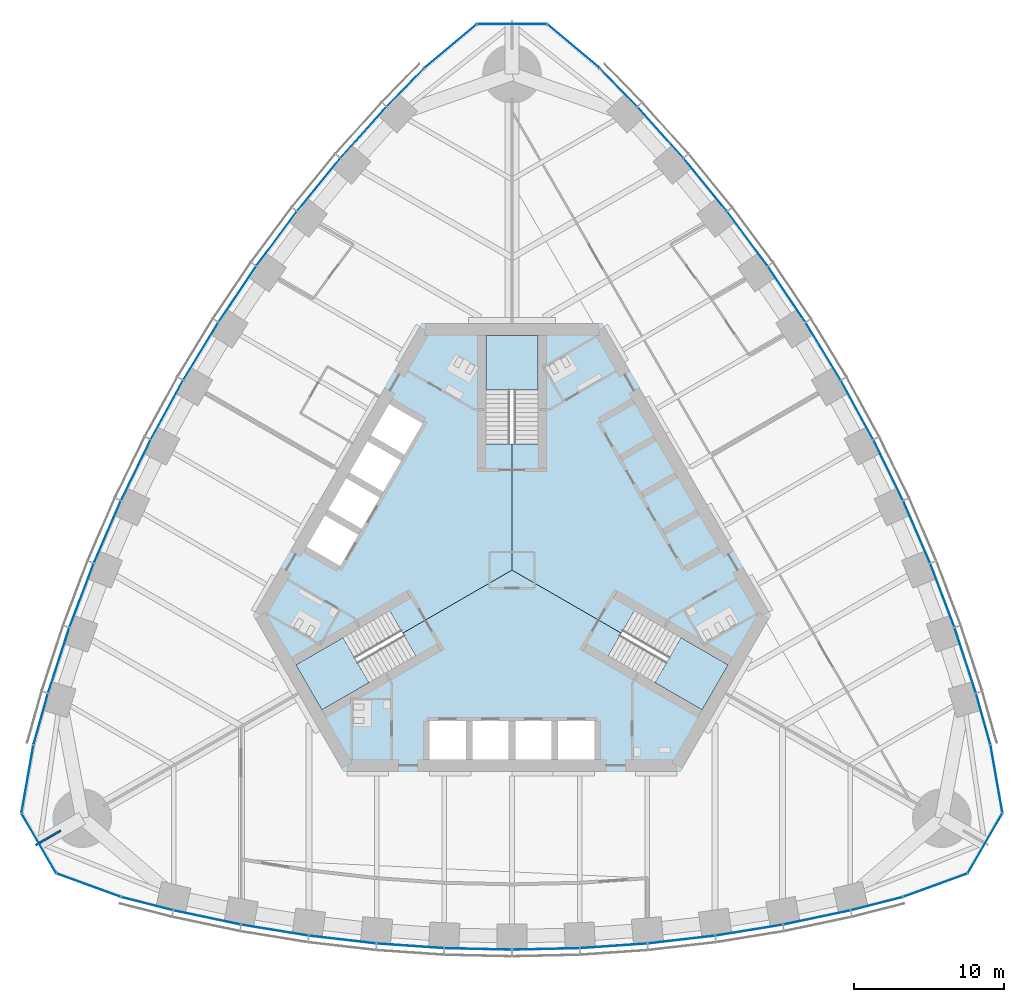
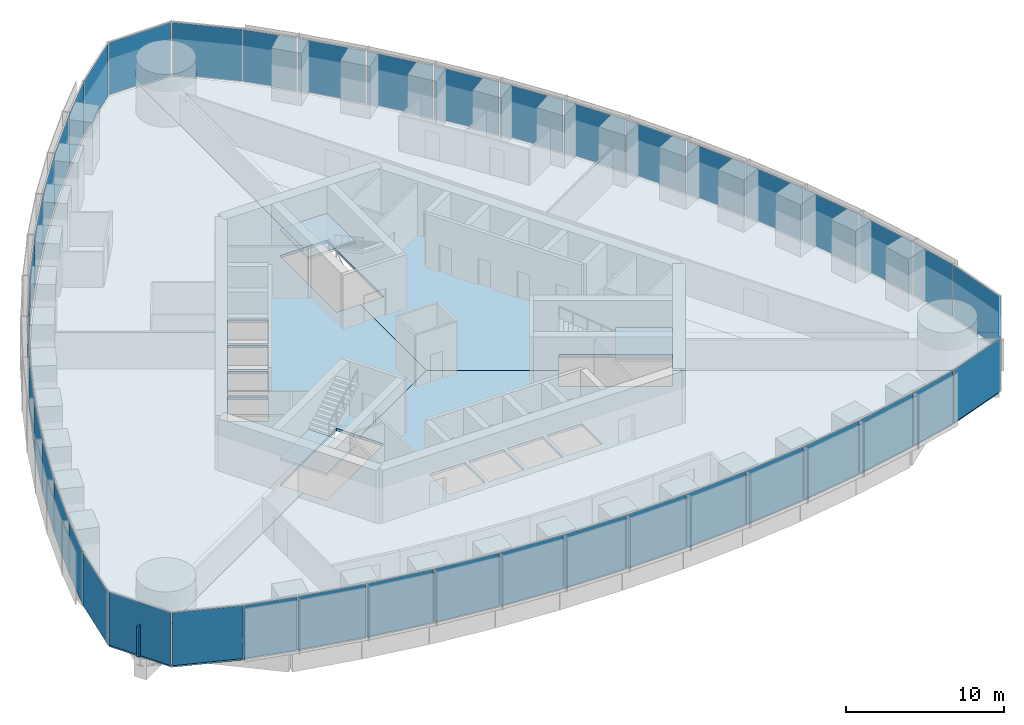
# One storey, part 10 of 18: 45 plates, 6 slabs, 1 wall, 9 elements without a shape of their own.
"""IFC4 building model written with IfcOpenShell, lengths in metres."""

from ifc_helpers import new_model, si_unit, direction, frame, frame_2d, origin, origin_2d, place, context, subcontext, project, spatial, polyline, rectangle, outline, extrude, material, layer, layer_set, type_object, element, aggregate, save


model = new_model("IFC4")

# Units and contexts
model_context = context("Model", 3, precision=1e-05, world=origin(), true_north=direction((0.0, 1.0)))
body_context = subcontext(model_context, "Body", "Model", "MODEL_VIEW")
ifc_project = project(units=[si_unit("LENGTHUNIT", "METRE"), si_unit("AREAUNIT", "SQUARE_METRE"), si_unit("VOLUMEUNIT", "CUBIC_METRE"), si_unit("PLANEANGLEUNIT", "RADIAN"), si_unit("MASSUNIT", "GRAM", prefix="KILO")], contexts=[model_context])

# Site, building, storey
site_placement = place(None, origin())
site = spatial("IfcSite", under=ifc_project, at=site_placement, CompositionType="ELEMENT")
building_placement = place(site_placement, origin())
building = spatial("IfcBuilding", under=site, at=building_placement, Name="Trefoil Bronze Tower", CompositionType="ELEMENT")
storey_placement = place(building_placement, frame((0.0, 0.0, 198.10009765625)))
storey = spatial("IfcBuildingStorey", under=building, at=storey_placement, Name="L45", CompositionType="ELEMENT", Elevation=198.10009765625)

# Curtain wall, plates
ifc_material_1 = material(Name="Tinted solar-control glass", Category="glass")
curtain_wall_type_1 = type_object("IfcCurtainWallType", Name="Bronze office curtain wall", PredefinedType="USERDEFINED", material=ifc_material_1)
curtain_wall_1_placement = place(storey_placement, origin())
curtain_wall_1 = element("IfcCurtainWall", 1, at=curtain_wall_1_placement, inside=storey, type_object=curtain_wall_type_1, Name="CW-A L45 F1", ObjectType="CURTAIN WALL", PredefinedType="USERDEFINED")
ifc_material_2 = material(Name="Tinted solar-control glass", Category="glass")
ifc_layer_1 = layer(ifc_material_2, 0.030029296875)
ifc_layer_set_1 = layer_set([ifc_layer_1], Name="Bronze office curtain wall glass panel")
plate_type_1 = type_object("IfcPlateType", Name="Bronze office curtain wall glass panel", PredefinedType="CURTAIN_PANEL", material=ifc_layer_set_1)
plate_1_placement = place(storey_placement, frame((-24.251220703125, -22.188232421875, -0.000244140625), z_axis=(0.0, 0.0, 1.0), x_axis=(0.968934035393, -0.247319297786, 0.0)))
plate_1 = element("IfcPlate", 2, at=plate_1_placement, type_object=plate_type_1, Name="CW-A L45 F1 panel 1", PredefinedType="CURTAIN_PANEL", context=body_context, shape_type="SweptSolid", body=[
    extrude(rectangle(XDim=3.483642578125, YDim=0.030029296875, at=origin_2d()), origin(), (0.0, 0.0, 1.0), 4.080078125),
])
plate_2_placement = place(storey_placement, frame((-20.270751953125, -23.105224609375, -0.000244140625), z_axis=(0.0, 0.0, 1.0), x_axis=(0.978394335897, -0.20674748725, 0.0)))
plate_2 = element("IfcPlate", 3, at=plate_2_placement, type_object=plate_type_1, Name="CW-A L45 F1 panel 2", PredefinedType="CURTAIN_PANEL", context=body_context, shape_type="SweptSolid", body=[
    extrude(rectangle(XDim=4.519287109375, YDim=0.030029296875, at=origin_2d()), origin(), (0.0, 0.0, 1.0), 4.080078125),
])
plate_3_placement = place(storey_placement, frame((-15.76611328125, -23.9482421875, -0.000244140625), z_axis=(0.0, 0.0, 1.0), x_axis=(0.986986549528, -0.160802832848, 0.0)))
plate_3 = element("IfcPlate", 4, at=plate_3_placement, type_object=plate_type_1, Name="CW-A L45 F1 panel 3", PredefinedType="CURTAIN_PANEL", context=body_context, shape_type="SweptSolid", body=[
    extrude(rectangle(XDim=4.479248046875, YDim=0.030029296875, at=origin_2d()), origin(), (0.0, 0.0, 1.0), 4.080078125),
])
plate_4_placement = place(storey_placement, frame((-11.261474609375, -24.57568359375, -0.000244140625), z_axis=(0.0, 0.0, 1.0), x_axis=(0.993381831741, -0.114858767043, 0.0)))
plate_4 = element("IfcPlate", 5, at=plate_4_placement, type_object=plate_type_1, Name="CW-A L45 F1 panel 4", PredefinedType="CURTAIN_PANEL", context=body_context, shape_type="SweptSolid", body=[
    extrude(rectangle(XDim=4.449951171875, YDim=0.030029296875, at=origin_2d()), origin(), (0.0, 0.0, 1.0), 4.080078125),
])
plate_5_placement = place(storey_placement, frame((-6.7568359375, -24.991455078125, -0.000244140625), z_axis=(0.0, 0.0, 1.0), x_axis=(0.99762252804, -0.068915103905, 0.0)))
plate_5 = element("IfcPlate", 6, at=plate_5_placement, type_object=plate_type_1, Name="CW-A L45 F1 panel 5", PredefinedType="CURTAIN_PANEL", context=body_context, shape_type="SweptSolid", body=[
    extrude(rectangle(XDim=4.4306640625, YDim=0.030029296875, at=origin_2d()), origin(), (0.0, 0.0, 1.0), 4.080078125),
])
plate_6_placement = place(storey_placement, frame((-2.252197265625, -25.198974609375, -0.000244140625), z_axis=(0.0, 0.0, 1.0), x_axis=(0.999736116243, -0.022971675577, 0.0)))
plate_6 = element("IfcPlate", 7, at=plate_6_placement, type_object=plate_type_1, Name="CW-A L45 F1 panel 6", PredefinedType="CURTAIN_PANEL", context=body_context, shape_type="SweptSolid", body=[
    extrude(rectangle(XDim=4.421142578125, YDim=0.030029296875, at=origin_2d()), origin(), (0.0, 0.0, 1.0), 4.080078125),
])
plate_7_placement = place(storey_placement, frame((2.252197265625, -25.198974609375, -0.000244140625), z_axis=(0.0, 0.0, 1.0), x_axis=(0.999736116243, 0.022971675577, 0.0)))
plate_7 = element("IfcPlate", 8, at=plate_7_placement, type_object=plate_type_1, Name="CW-A L45 F1 panel 7", PredefinedType="CURTAIN_PANEL", context=body_context, shape_type="SweptSolid", body=[
    extrude(rectangle(XDim=4.421142578125, YDim=0.030029296875, at=origin_2d()), origin(), (0.0, 0.0, 1.0), 4.080078125),
])
plate_8_placement = place(storey_placement, frame((6.7568359375, -24.991455078125, -0.000244140625), z_axis=(0.0, 0.0, 1.0), x_axis=(0.99762252804, 0.068915103905, 0.0)))
plate_8 = element("IfcPlate", 9, at=plate_8_placement, type_object=plate_type_1, Name="CW-A L45 F1 panel 8", PredefinedType="CURTAIN_PANEL", context=body_context, shape_type="SweptSolid", body=[
    extrude(rectangle(XDim=4.4306640625, YDim=0.030029296875, at=origin_2d()), origin(), (0.0, 0.0, 1.0), 4.080078125),
])
plate_9_placement = place(storey_placement, frame((11.261474609375, -24.57568359375, -0.000244140625), z_axis=(0.0, 0.0, 1.0), x_axis=(0.993381831741, 0.114858767043, 0.0)))
plate_9 = element("IfcPlate", 10, at=plate_9_placement, type_object=plate_type_1, Name="CW-A L45 F1 panel 9", PredefinedType="CURTAIN_PANEL", context=body_context, shape_type="SweptSolid", body=[
    extrude(rectangle(XDim=4.449951171875, YDim=0.030029296875, at=origin_2d()), origin(), (0.0, 0.0, 1.0), 4.080078125),
])
plate_10_placement = place(storey_placement, frame((15.76611328125, -23.9482421875, -0.000244140625), z_axis=(0.0, 0.0, 1.0), x_axis=(0.986986549528, 0.160802832848, 0.0)))
plate_10 = element("IfcPlate", 11, at=plate_10_placement, type_object=plate_type_1, Name="CW-A L45 F1 panel 10", PredefinedType="CURTAIN_PANEL", context=body_context, shape_type="SweptSolid", body=[
    extrude(rectangle(XDim=4.479248046875, YDim=0.030029296875, at=origin_2d()), origin(), (0.0, 0.0, 1.0), 4.080078125),
])
plate_11_placement = place(storey_placement, frame((20.270751953125, -23.105224609375, -0.000244140625), z_axis=(0.0, 0.0, 1.0), x_axis=(0.978394335897, 0.20674748725, 0.0)))
plate_11 = element("IfcPlate", 12, at=plate_11_placement, type_object=plate_type_1, Name="CW-A L45 F1 panel 11", PredefinedType="CURTAIN_PANEL", context=body_context, shape_type="SweptSolid", body=[
    extrude(rectangle(XDim=4.519287109375, YDim=0.030029296875, at=origin_2d()), origin(), (0.0, 0.0, 1.0), 4.080078125),
])
plate_12_placement = place(storey_placement, frame((24.251220703125, -22.188232421875, -0.000244140625), z_axis=(0.0, 0.0, 1.0), x_axis=(0.968934035393, 0.247319297786, 0.0)))
plate_12 = element("IfcPlate", 13, at=plate_12_placement, type_object=plate_type_1, Name="CW-A L45 F1 panel 12", PredefinedType="CURTAIN_PANEL", context=body_context, shape_type="SweptSolid", body=[
    extrude(rectangle(XDim=3.483642578125, YDim=0.030029296875, at=origin_2d()), origin(), (0.0, 0.0, 1.0), 4.080078125),
])
aggregate(curtain_wall_1, [plate_1, plate_2, plate_3, plate_4, plate_5, plate_6, plate_7, plate_8, plate_9, plate_10, plate_11, plate_12])

curtain_wall_2_placement = place(storey_placement, origin())
curtain_wall_2 = element("IfcCurtainWall", 14, at=curtain_wall_2_placement, inside=storey, type_object=curtain_wall_type_1, Name="CW-A L45 F2", ObjectType="CURTAIN WALL", PredefinedType="USERDEFINED")
plate_13_placement = place(storey_placement, frame((31.341064453125, -9.907958984375, -0.000244140625), z_axis=(0.0, 0.0, 1.0), x_axis=(-0.270282222968, 0.962781138134, 0.0)))
plate_13 = element("IfcPlate", 15, at=plate_13_placement, type_object=plate_type_1, Name="CW-A L45 F2 panel 1", PredefinedType="CURTAIN_PANEL", context=body_context, shape_type="SweptSolid", body=[
    extrude(rectangle(XDim=3.483642578125, YDim=0.030029296875, at=origin_2d()), origin(), (0.0, 0.0, 1.0), 4.080078125),
])
plate_14_placement = place(storey_placement, frame((30.14501953125, -6.002197265625, -0.000244140625), z_axis=(0.0, 0.0, 1.0), x_axis=(-0.310148591821, 0.950688093431, 0.0)))
plate_14 = element("IfcPlate", 16, at=plate_14_placement, type_object=plate_type_1, Name="CW-A L45 F2 panel 2", PredefinedType="CURTAIN_PANEL", context=body_context, shape_type="SweptSolid", body=[
    extrude(rectangle(XDim=4.519287109375, YDim=0.030029296875, at=origin_2d()), origin(), (0.0, 0.0, 1.0), 4.080078125),
])
plate_15_placement = place(storey_placement, frame((28.622802734375, -1.6796875, -0.000244140625), z_axis=(0.0, 0.0, 1.0), x_axis=(-0.354233936517, 0.935156841508, 0.0)))
plate_15 = element("IfcPlate", 17, at=plate_15_placement, type_object=plate_type_1, Name="CW-A L45 F2 panel 3", PredefinedType="CURTAIN_PANEL", context=body_context, shape_type="SweptSolid", body=[
    extrude(rectangle(XDim=4.479248046875, YDim=0.030029296875, at=origin_2d()), origin(), (0.0, 0.0, 1.0), 4.080078125),
])
plate_16_placement = place(storey_placement, frame((26.913818359375, 2.53515625, -0.000244140625), z_axis=(0.0, 0.0, 1.0), x_axis=(-0.397220305764, 0.917723285467, 0.0)))
plate_16 = element("IfcPlate", 18, at=plate_16_placement, type_object=plate_type_1, Name="CW-A L45 F2 panel 4", PredefinedType="CURTAIN_PANEL", context=body_context, shape_type="SweptSolid", body=[
    extrude(rectangle(XDim=4.449951171875, YDim=0.030029296875, at=origin_2d()), origin(), (0.0, 0.0, 1.0), 4.080078125),
])
plate_17_placement = place(storey_placement, frame((25.021728515625, 6.64404296875, -0.000244140625), z_axis=(0.0, 0.0, 1.0), x_axis=(-0.439129033334, 0.898424004623, 0.0)))
plate_17 = element("IfcPlate", 19, at=plate_17_placement, type_object=plate_type_1, Name="CW-A L45 F2 panel 5", PredefinedType="CURTAIN_PANEL", context=body_context, shape_type="SweptSolid", body=[
    extrude(rectangle(XDim=4.4306640625, YDim=0.030029296875, at=origin_2d()), origin(), (0.0, 0.0, 1.0), 4.080078125),
])
plate_18_placement = place(storey_placement, frame((22.948974609375, 10.64892578125, -0.000244140625), z_axis=(0.0, 0.0, 1.0), x_axis=(-0.479974003504, 0.877282711536, 0.0)))
plate_18 = element("IfcPlate", 20, at=plate_18_placement, type_object=plate_type_1, Name="CW-A L45 F2 panel 6", PredefinedType="CURTAIN_PANEL", context=body_context, shape_type="SweptSolid", body=[
    extrude(rectangle(XDim=4.421142578125, YDim=0.030029296875, at=origin_2d()), origin(), (0.0, 0.0, 1.0), 4.080078125),
])
plate_19_placement = place(storey_placement, frame((20.69677734375, 14.550048828125, -0.000244140625), z_axis=(0.0, 0.0, 1.0), x_axis=(-0.519762112739, 0.854311035959, 0.0)))
plate_19 = element("IfcPlate", 21, at=plate_19_placement, type_object=plate_type_1, Name="CW-A L45 F2 panel 7", PredefinedType="CURTAIN_PANEL", context=body_context, shape_type="SweptSolid", body=[
    extrude(rectangle(XDim=4.421142578125, YDim=0.030029296875, at=origin_2d()), origin(), (0.0, 0.0, 1.0), 4.080078125),
])
plate_20_placement = place(storey_placement, frame((18.264892578125, 18.347412109375, -0.000244140625), z_axis=(0.0, 0.0, 1.0), x_axis=(-0.558493494706, 0.829508900718, 0.0)))
plate_20 = element("IfcPlate", 22, at=plate_20_placement, type_object=plate_type_1, Name="CW-A L45 F2 panel 8", PredefinedType="CURTAIN_PANEL", context=body_context, shape_type="SweptSolid", body=[
    extrude(rectangle(XDim=4.4306640625, YDim=0.030029296875, at=origin_2d()), origin(), (0.0, 0.0, 1.0), 4.080078125),
])
plate_21_placement = place(storey_placement, frame((15.65234375, 22.04052734375, -0.000244140625), z_axis=(0.0, 0.0, 1.0), x_axis=(-0.596161525977, 0.802864518425, 0.0)))
plate_21 = element("IfcPlate", 23, at=plate_21_placement, type_object=plate_type_1, Name="CW-A L45 F2 panel 9", PredefinedType="CURTAIN_PANEL", context=body_context, shape_type="SweptSolid", body=[
    extrude(rectangle(XDim=4.449951171875, YDim=0.030029296875, at=origin_2d()), origin(), (0.0, 0.0, 1.0), 4.080078125),
])
plate_22_placement = place(storey_placement, frame((12.856689453125, 25.6279296875, -0.000244140625), z_axis=(0.0, 0.0, 1.0), x_axis=(-0.63275261301, 0.774354008661, 0.0)))
plate_22 = element("IfcPlate", 24, at=plate_22_placement, type_object=plate_type_1, Name="CW-A L45 F2 panel 10", PredefinedType="CURTAIN_PANEL", context=body_context, shape_type="SweptSolid", body=[
    extrude(rectangle(XDim=4.479248046875, YDim=0.030029296875, at=origin_2d()), origin(), (0.0, 0.0, 1.0), 4.080078125),
])
plate_23_placement = place(storey_placement, frame((9.87451171875, 29.107666015625, -0.000244140625), z_axis=(0.0, 0.0, 1.0), x_axis=(-0.668245744076, 0.743940606181, 0.0)))
plate_23 = element("IfcPlate", 25, at=plate_23_placement, type_object=plate_type_1, Name="CW-A L45 F2 panel 11", PredefinedType="CURTAIN_PANEL", context=body_context, shape_type="SweptSolid", body=[
    extrude(rectangle(XDim=4.519287109375, YDim=0.030029296875, at=origin_2d()), origin(), (0.0, 0.0, 1.0), 4.080078125),
])
plate_24_placement = place(storey_placement, frame((7.08984375, 32.09619140625, -0.000244140625), z_axis=(0.0, 0.0, 1.0), x_axis=(-0.698651812425, 0.715461840349, 0.0)))
plate_24 = element("IfcPlate", 26, at=plate_24_placement, type_object=plate_type_1, Name="CW-A L45 F2 panel 12", PredefinedType="CURTAIN_PANEL", context=body_context, shape_type="SweptSolid", body=[
    extrude(rectangle(XDim=3.483642578125, YDim=0.030029296875, at=origin_2d()), origin(), (0.0, 0.0, 1.0), 4.080078125),
])
aggregate(curtain_wall_2, [plate_13, plate_14, plate_15, plate_16, plate_17, plate_18, plate_19, plate_20, plate_21, plate_22, plate_23, plate_24])

curtain_wall_3_placement = place(storey_placement, origin())
curtain_wall_3 = element("IfcCurtainWall", 27, at=curtain_wall_3_placement, inside=storey, type_object=curtain_wall_type_1, Name="CW-A L45 F3", ObjectType="CURTAIN WALL", PredefinedType="USERDEFINED")
plate_25_placement = place(storey_placement, frame((-7.08984375, 32.09619140625, -0.000244140625), z_axis=(0.0, 0.0, 1.0), x_axis=(-0.698651812425, -0.715461840349, 0.0)))
plate_25 = element("IfcPlate", 28, at=plate_25_placement, type_object=plate_type_1, Name="CW-A L45 F3 panel 1", PredefinedType="CURTAIN_PANEL", context=body_context, shape_type="SweptSolid", body=[
    extrude(rectangle(XDim=3.483642578125, YDim=0.030029296875, at=origin_2d()), origin(), (0.0, 0.0, 1.0), 4.080078125),
])
plate_26_placement = place(storey_placement, frame((-9.87451171875, 29.107666015625, -0.000244140625), z_axis=(0.0, 0.0, 1.0), x_axis=(-0.668245744076, -0.743940606181, 0.0)))
plate_26 = element("IfcPlate", 29, at=plate_26_placement, type_object=plate_type_1, Name="CW-A L45 F3 panel 2", PredefinedType="CURTAIN_PANEL", context=body_context, shape_type="SweptSolid", body=[
    extrude(rectangle(XDim=4.519287109375, YDim=0.030029296875, at=origin_2d()), origin(), (0.0, 0.0, 1.0), 4.080078125),
])
plate_27_placement = place(storey_placement, frame((-12.856689453125, 25.6279296875, -0.000244140625), z_axis=(0.0, 0.0, 1.0), x_axis=(-0.63275261301, -0.774354008661, 0.0)))
plate_27 = element("IfcPlate", 30, at=plate_27_placement, type_object=plate_type_1, Name="CW-A L45 F3 panel 3", PredefinedType="CURTAIN_PANEL", context=body_context, shape_type="SweptSolid", body=[
    extrude(rectangle(XDim=4.479248046875, YDim=0.030029296875, at=origin_2d()), origin(), (0.0, 0.0, 1.0), 4.080078125),
])
plate_28_placement = place(storey_placement, frame((-15.65234375, 22.04052734375, -0.000244140625), z_axis=(0.0, 0.0, 1.0), x_axis=(-0.596161525977, -0.802864518425, 0.0)))
plate_28 = element("IfcPlate", 31, at=plate_28_placement, type_object=plate_type_1, Name="CW-A L45 F3 panel 4", PredefinedType="CURTAIN_PANEL", context=body_context, shape_type="SweptSolid", body=[
    extrude(rectangle(XDim=4.449951171875, YDim=0.030029296875, at=origin_2d()), origin(), (0.0, 0.0, 1.0), 4.080078125),
])
plate_29_placement = place(storey_placement, frame((-18.264892578125, 18.347412109375, -0.000244140625), z_axis=(0.0, 0.0, 1.0), x_axis=(-0.558493494706, -0.829508900718, 0.0)))
plate_29 = element("IfcPlate", 32, at=plate_29_placement, type_object=plate_type_1, Name="CW-A L45 F3 panel 5", PredefinedType="CURTAIN_PANEL", context=body_context, shape_type="SweptSolid", body=[
    extrude(rectangle(XDim=4.4306640625, YDim=0.030029296875, at=origin_2d()), origin(), (0.0, 0.0, 1.0), 4.080078125),
])
plate_30_placement = place(storey_placement, frame((-20.69677734375, 14.550048828125, -0.000244140625), z_axis=(0.0, 0.0, 1.0), x_axis=(-0.519762112739, -0.854311035959, 0.0)))
plate_30 = element("IfcPlate", 33, at=plate_30_placement, type_object=plate_type_1, Name="CW-A L45 F3 panel 6", PredefinedType="CURTAIN_PANEL", context=body_context, shape_type="SweptSolid", body=[
    extrude(rectangle(XDim=4.421142578125, YDim=0.030029296875, at=origin_2d()), origin(), (0.0, 0.0, 1.0), 4.080078125),
])
plate_31_placement = place(storey_placement, frame((-22.948974609375, 10.64892578125, -0.000244140625), z_axis=(0.0, 0.0, 1.0), x_axis=(-0.479974003504, -0.877282711536, 0.0)))
plate_31 = element("IfcPlate", 34, at=plate_31_placement, type_object=plate_type_1, Name="CW-A L45 F3 panel 7", PredefinedType="CURTAIN_PANEL", context=body_context, shape_type="SweptSolid", body=[
    extrude(rectangle(XDim=4.421142578125, YDim=0.030029296875, at=origin_2d()), origin(), (0.0, 0.0, 1.0), 4.080078125),
])
plate_32_placement = place(storey_placement, frame((-25.021728515625, 6.64404296875, -0.000244140625), z_axis=(0.0, 0.0, 1.0), x_axis=(-0.439129033334, -0.898424004623, 0.0)))
plate_32 = element("IfcPlate", 35, at=plate_32_placement, type_object=plate_type_1, Name="CW-A L45 F3 panel 8", PredefinedType="CURTAIN_PANEL", context=body_context, shape_type="SweptSolid", body=[
    extrude(rectangle(XDim=4.4306640625, YDim=0.030029296875, at=origin_2d()), origin(), (0.0, 0.0, 1.0), 4.080078125),
])
plate_33_placement = place(storey_placement, frame((-26.913818359375, 2.53515625, -0.000244140625), z_axis=(0.0, 0.0, 1.0), x_axis=(-0.397220305764, -0.917723285467, 0.0)))
plate_33 = element("IfcPlate", 36, at=plate_33_placement, type_object=plate_type_1, Name="CW-A L45 F3 panel 9", PredefinedType="CURTAIN_PANEL", context=body_context, shape_type="SweptSolid", body=[
    extrude(rectangle(XDim=4.449951171875, YDim=0.030029296875, at=origin_2d()), origin(), (0.0, 0.0, 1.0), 4.080078125),
])
plate_34_placement = place(storey_placement, frame((-28.622802734375, -1.6796875, -0.000244140625), z_axis=(0.0, 0.0, 1.0), x_axis=(-0.354233936517, -0.935156841508, 0.0)))
plate_34 = element("IfcPlate", 37, at=plate_34_placement, type_object=plate_type_1, Name="CW-A L45 F3 panel 10", PredefinedType="CURTAIN_PANEL", context=body_context, shape_type="SweptSolid", body=[
    extrude(rectangle(XDim=4.479248046875, YDim=0.030029296875, at=origin_2d()), origin(), (0.0, 0.0, 1.0), 4.080078125),
])
plate_35_placement = place(storey_placement, frame((-30.14501953125, -6.002197265625, -0.000244140625), z_axis=(0.0, 0.0, 1.0), x_axis=(-0.310148591821, -0.950688093431, 0.0)))
plate_35 = element("IfcPlate", 38, at=plate_35_placement, type_object=plate_type_1, Name="CW-A L45 F3 panel 11", PredefinedType="CURTAIN_PANEL", context=body_context, shape_type="SweptSolid", body=[
    extrude(rectangle(XDim=4.519287109375, YDim=0.030029296875, at=origin_2d()), origin(), (0.0, 0.0, 1.0), 4.080078125),
])
plate_36_placement = place(storey_placement, frame((-31.341064453125, -9.907958984375, -0.000244140625), z_axis=(0.0, 0.0, 1.0), x_axis=(-0.270282222968, -0.962781138134, 0.0)))
plate_36 = element("IfcPlate", 39, at=plate_36_placement, type_object=plate_type_1, Name="CW-A L45 F3 panel 12", PredefinedType="CURTAIN_PANEL", context=body_context, shape_type="SweptSolid", body=[
    extrude(rectangle(XDim=3.483642578125, YDim=0.030029296875, at=origin_2d()), origin(), (0.0, 0.0, 1.0), 4.080078125),
])
aggregate(curtain_wall_3, [plate_25, plate_26, plate_27, plate_28, plate_29, plate_30, plate_31, plate_32, plate_33, plate_34, plate_35, plate_36])

ifc_material_3 = material(Name="Tinted solar-control glass", Category="glass")
curtain_wall_type_2 = type_object("IfcCurtainWallType", Name="Bronze rounded corner curtain wall", PredefinedType="USERDEFINED", material=ifc_material_3)
curtain_wall_4_placement = place(storey_placement, origin())
curtain_wall_4 = element("IfcCurtainWall", 40, at=curtain_wall_4_placement, inside=storey, type_object=curtain_wall_type_2, Name="CW-B L45 K1", ObjectType="CURTAIN WALL", PredefinedType="USERDEFINED")
ifc_material_4 = material(Name="Tinted solar-control glass", Category="glass")
ifc_layer_2 = layer(ifc_material_4, 0.030029296875)
ifc_layer_set_2 = layer_set([ifc_layer_2], Name="Bronze rounded corner curtain wall glass panel")
plate_type_2 = type_object("IfcPlateType", Name="Bronze rounded corner curtain wall glass panel", PredefinedType="CURTAIN_PANEL", material=ifc_layer_set_2)
plate_37_placement = place(storey_placement, frame((28.1298828125, -20.96484375, -0.000244140625), z_axis=(0.0, 0.0, 1.0), x_axis=(0.939692620786, 0.342020143326, 0.0)))
plate_37 = element("IfcPlate", 41, at=plate_37_placement, type_object=plate_type_2, Name="CW-B L45 K1 panel 1", PredefinedType="CURTAIN_PANEL", context=body_context, shape_type="SweptSolid", body=[
    extrude(rectangle(XDim=4.500244140625, YDim=0.030029296875, at=origin_2d()), origin(), (0.0, 0.0, 1.0), 4.080078125),
])
plate_38_placement = place(storey_placement, frame((31.46484375, -18.166259765625, -0.000244140625), z_axis=(0.0, 0.0, 1.0), x_axis=(0.5, 0.866025403784, 0.0)))
plate_38 = element("IfcPlate", 42, at=plate_38_placement, type_object=plate_type_2, Name="CW-B L45 K1 panel 2", PredefinedType="CURTAIN_PANEL", context=body_context, shape_type="SweptSolid", body=[
    extrude(rectangle(XDim=4.500244140625, YDim=0.030029296875, at=origin_2d()), origin(), (0.0, 0.0, 1.0), 4.080078125),
])
plate_39_placement = place(storey_placement, frame((32.220947265625, -13.878662109375, -0.000244140625), z_axis=(0.0, 0.0, 1.0), x_axis=(-0.173648177667, 0.984807753012, 0.0)))
plate_39 = element("IfcPlate", 43, at=plate_39_placement, type_object=plate_type_2, Name="CW-B L45 K1 panel 3", PredefinedType="CURTAIN_PANEL", context=body_context, shape_type="SweptSolid", body=[
    extrude(rectangle(XDim=4.500244140625, YDim=0.030029296875, at=origin_2d()), origin(), (0.0, 0.0, 1.0), 4.080078125),
])
aggregate(curtain_wall_4, [plate_37, plate_38, plate_39])

curtain_wall_5_placement = place(storey_placement, origin())
curtain_wall_5 = element("IfcCurtainWall", 44, at=curtain_wall_5_placement, inside=storey, type_object=curtain_wall_type_2, Name="CW-B L45 K2", ObjectType="CURTAIN WALL", PredefinedType="USERDEFINED")
plate_40_placement = place(storey_placement, frame((4.091064453125, 34.843505859375, -0.000244140625), z_axis=(0.0, 0.0, 1.0), x_axis=(-0.766044443119, 0.642787609687, 0.0)))
plate_40 = element("IfcPlate", 45, at=plate_40_placement, type_object=plate_type_2, Name="CW-B L45 K2 panel 1", PredefinedType="CURTAIN_PANEL", context=body_context, shape_type="SweptSolid", body=[
    extrude(rectangle(XDim=4.500244140625, YDim=0.030029296875, at=origin_2d()), origin(), (0.0, 0.0, 1.0), 4.080078125),
])
plate_41_placement = place(storey_placement, frame((0.0, 36.33251953125, -0.000244140625), z_axis=(0.0, 0.0, 1.0), x_axis=(-1.0, 0.0, 0.0)))
plate_41 = element("IfcPlate", 46, at=plate_41_placement, type_object=plate_type_2, Name="CW-B L45 K2 panel 2", PredefinedType="CURTAIN_PANEL", context=body_context, shape_type="SweptSolid", body=[
    extrude(rectangle(XDim=4.500244140625, YDim=0.030029296875, at=origin_2d()), origin(), (0.0, 0.0, 1.0), 4.080078125),
])
plate_42_placement = place(storey_placement, frame((-4.091064453125, 34.843505859375, -0.000244140625), z_axis=(0.0, 0.0, 1.0), x_axis=(-0.766044443119, -0.642787609687, 0.0)))
plate_42 = element("IfcPlate", 47, at=plate_42_placement, type_object=plate_type_2, Name="CW-B L45 K2 panel 3", PredefinedType="CURTAIN_PANEL", context=body_context, shape_type="SweptSolid", body=[
    extrude(rectangle(XDim=4.500244140625, YDim=0.030029296875, at=origin_2d()), origin(), (0.0, 0.0, 1.0), 4.080078125),
])
aggregate(curtain_wall_5, [plate_40, plate_41, plate_42])

curtain_wall_6_placement = place(storey_placement, origin())
curtain_wall_6 = element("IfcCurtainWall", 48, at=curtain_wall_6_placement, inside=storey, type_object=curtain_wall_type_2, Name="CW-B L45 K3", ObjectType="CURTAIN WALL", PredefinedType="USERDEFINED")
plate_43_placement = place(storey_placement, frame((-32.220947265625, -13.878662109375, -0.000244140625), z_axis=(0.0, 0.0, 1.0), x_axis=(-0.173648177667, -0.984807753012, 0.0)))
plate_43 = element("IfcPlate", 49, at=plate_43_placement, type_object=plate_type_2, Name="CW-B L45 K3 panel 1", PredefinedType="CURTAIN_PANEL", context=body_context, shape_type="SweptSolid", body=[
    extrude(rectangle(XDim=4.500244140625, YDim=0.030029296875, at=origin_2d()), origin(), (0.0, 0.0, 1.0), 4.080078125),
])
plate_44_placement = place(storey_placement, frame((-31.46484375, -18.166259765625, -0.000244140625), z_axis=(0.0, 0.0, 1.0), x_axis=(0.5, -0.866025403784, 0.0)))
plate_44 = element("IfcPlate", 50, at=plate_44_placement, type_object=plate_type_2, Name="CW-B L45 K3 panel 2", PredefinedType="CURTAIN_PANEL", context=body_context, shape_type="SweptSolid", body=[
    extrude(rectangle(XDim=4.500244140625, YDim=0.030029296875, at=origin_2d()), origin(), (0.0, 0.0, 1.0), 4.080078125),
])
plate_45_placement = place(storey_placement, frame((-28.1298828125, -20.96484375, -0.000244140625), z_axis=(0.0, 0.0, 1.0), x_axis=(0.939692620786, -0.342020143326, 0.0)))
plate_45 = element("IfcPlate", 51, at=plate_45_placement, type_object=plate_type_2, Name="CW-B L45 K3 panel 3", PredefinedType="CURTAIN_PANEL", context=body_context, shape_type="SweptSolid", body=[
    extrude(rectangle(XDim=4.500244140625, YDim=0.030029296875, at=origin_2d()), origin(), (0.0, 0.0, 1.0), 4.080078125),
])
aggregate(curtain_wall_6, [plate_43, plate_44, plate_45])

# Slabs
ifc_material_5 = material(Name="Concrete B30", Category="concrete")
ifc_layer_3 = layer(ifc_material_5, 0.199951171875)
ifc_layer_set_3 = layer_set([ifc_layer_3], Name="Floor slab 200")
slab_type_1 = type_object("IfcSlabType", Name="Floor slab 200", PredefinedType="FLOOR", material=ifc_layer_set_3)
slab_1_placement = place(storey_placement, frame((0.0, 0.0, -0.2001953125)))
element("IfcSlab", 52, at=slab_1_placement, inside=storey, type_object=slab_type_1, Name="Floor slab L45 face 1", PredefinedType="FLOOR", context=body_context, shape_type="SweptSolid", body=[
    extrude(outline(polyline([(18.0, -23.48291015625), (13.5, -24.216064453125), (9.0, -24.736328125), (4.5, -25.047119140625), (0.0, -25.150634765625), (-4.5, -25.047119140625), (-9.0, -24.736328125), (-13.5, -24.216064453125), (-18.0, -23.48291015625), (-22.5, -22.531982421875), (-25.952880859375, -21.650634765625), (-30.23828125, -20.0908203125), (-31.37841796875, -18.1162109375), (-13.510009765625, -7.800048828125), (-12.6474609375, -9.2939453125), (-6.412109375, -5.69384765625), (-7.274658203125, -4.199951171875), (0.0, 0.0), (7.274658203125, -4.199951171875), (6.412109375, -5.69384765625), (12.6474609375, -9.2939453125), (13.510009765625, -7.800048828125), (31.37841796875, -18.1162109375), (30.23828125, -20.0908203125), (25.952880859375, -21.650634765625), (22.5, -22.531982421875), (18.0, -23.48291015625)]), holes=[polyline([(-5.574951171875, -10.02490234375), (-2.97509765625, -10.02490234375), (-2.97509765625, -12.60009765625), (-5.574951171875, -12.60009765625), (-5.574951171875, -10.02490234375)]), polyline([(-2.72509765625, -10.02490234375), (-0.125, -10.02490234375), (-0.125, -12.60009765625), (-2.72509765625, -12.60009765625), (-2.72509765625, -10.02490234375)]), polyline([(0.125, -10.02490234375), (2.72509765625, -10.02490234375), (2.72509765625, -12.60009765625), (0.125, -12.60009765625), (0.125, -10.02490234375)]), polyline([(2.97509765625, -10.02490234375), (5.574951171875, -10.02490234375), (5.574951171875, -12.60009765625), (2.97509765625, -12.60009765625), (2.97509765625, -10.02490234375)])]), origin(), (0.0, 0.0, 1.0), 0.2001953125),
])
slab_2_placement = place(storey_placement, frame((0.0, 0.0, -0.2001953125)))
element("IfcSlab", 53, at=slab_2_placement, inside=storey, type_object=slab_type_1, Name="Floor slab L45 face 2", PredefinedType="FLOOR", context=body_context, shape_type="SweptSolid", body=[
    extrude(outline(polyline([(11.3369140625, 27.329833984375), (14.2216796875, 23.79931640625), (16.92236328125, 20.162353515625), (19.441650390625, 16.420654296875), (21.781005859375, 12.575439453125), (23.941650390625, 8.62646484375), (25.92236328125, 4.573974609375), (27.7216796875, 0.416748046875), (29.3369140625, -3.846923828125), (30.76318359375, -8.219482421875), (31.7265625, -11.650634765625), (32.518310546875, -16.1416015625), (31.37841796875, -18.1162109375), (13.510009765625, -7.800048828125), (14.37255859375, -6.30615234375), (8.13720703125, -2.7060546875), (7.274658203125, -4.199951171875), (0.0, 0.0), (0.0, 8.39990234375), (1.72509765625, 8.39990234375), (1.72509765625, 15.60009765625), (0.0, 15.60009765625), (0.0, 36.232666015625), (2.280029296875, 36.232666015625), (5.7734375, 33.30126953125), (8.26318359375, 30.75146484375), (11.3369140625, 27.329833984375)])), origin(), (0.0, 0.0, 1.0), 0.2001953125),
])
slab_3_placement = place(storey_placement, frame((0.0, 0.0, -0.2001953125)))
element("IfcSlab", 54, at=slab_3_placement, inside=storey, type_object=slab_type_1, Name="Floor slab L45 face 3", PredefinedType="FLOOR", context=body_context, shape_type="SweptSolid", body=[
    extrude(outline(polyline([(-29.3369140625, -3.846923828125), (-27.7216796875, 0.416748046875), (-25.92236328125, 4.573974609375), (-23.941650390625, 8.62646484375), (-21.781005859375, 12.575439453125), (-19.441650390625, 16.420654296875), (-16.92236328125, 20.162353515625), (-14.2216796875, 23.79931640625), (-11.3369140625, 27.329833984375), (-8.26318359375, 30.75146484375), (-5.7734375, 33.30126953125), (-2.280029296875, 36.232666015625), (0.0, 36.232666015625), (0.0, 15.60009765625), (-1.72509765625, 15.60009765625), (-1.72509765625, 8.39990234375), (0.0, 8.39990234375), (0.0, 0.0), (-7.274658203125, -4.199951171875), (-8.13720703125, -2.7060546875), (-14.37255859375, -6.30615234375), (-13.510009765625, -7.800048828125), (-31.37841796875, -18.1162109375), (-32.518310546875, -16.1416015625), (-31.7265625, -11.650634765625), (-30.76318359375, -8.219482421875), (-29.3369140625, -3.846923828125)]), holes=[polyline([(-5.894287109375, 9.840576171875), (-7.1943359375, 7.5888671875), (-9.42431640625, 8.87646484375), (-8.12451171875, 11.128173828125), (-5.894287109375, 9.840576171875)]), polyline([(-7.3193359375, 7.372314453125), (-8.619384765625, 5.120849609375), (-10.849365234375, 6.408203125), (-9.54931640625, 8.659912109375), (-7.3193359375, 7.372314453125)]), polyline([(-8.744384765625, 4.904296875), (-10.04443359375, 2.652587890625), (-12.2744140625, 3.940185546875), (-10.974365234375, 6.191650390625), (-8.744384765625, 4.904296875)]), polyline([(-10.16943359375, 2.43603515625), (-11.469482421875, 0.184326171875), (-13.699462890625, 1.471923828125), (-12.3994140625, 3.7236328125), (-10.16943359375, 2.43603515625)])]), origin(), (0.0, 0.0, 1.0), 0.2001953125),
])

# Stair, slab
ifc_material_6 = material(Name="Precast concrete B80", Category="concrete")
stair_type = type_object("IfcStairType", Name="Exit stair 26 risers", PredefinedType="HALF_TURN_STAIR", material=ifc_material_6)
stair_1_placement = place(storey_placement, origin())
stair_1 = element("IfcStair", 55, at=stair_1_placement, inside=storey, type_object=stair_type, Name="Stair ST1 L45", PredefinedType="HALF_TURN_STAIR")
ifc_material_7 = material(Name="Concrete B30", Category="concrete")
ifc_layer_4 = layer(ifc_material_7, 0.199951171875)
ifc_layer_set_4 = layer_set([ifc_layer_4], Name="Stair landing 200")
slab_type_2 = type_object("IfcSlabType", Name="Stair landing 200", PredefinedType="LANDING", material=ifc_layer_set_4)
slab_4_placement = place(storey_placement, frame((0.0, 0.0, 1.89990234375)))
slab_4 = element("IfcSlab", 56, at=slab_4_placement, type_object=slab_type_2, Name="ST1 landing 1", PredefinedType="LANDING", context=body_context, shape_type="SweptSolid", body=[
    extrude(outline(polyline([(9.512451171875, -7.48388671875), (12.6474609375, -9.2939453125), (14.37255859375, -6.30615234375), (11.237548828125, -4.49609375), (9.512451171875, -7.48388671875)])), origin(), (0.0, 0.0, 1.0), 0.199951171875),
])
aggregate(stair_1, [slab_4])

stair_2_placement = place(storey_placement, origin())
stair_2 = element("IfcStair", 57, at=stair_2_placement, inside=storey, type_object=stair_type, Name="Stair ST2 L45", PredefinedType="HALF_TURN_STAIR")
slab_5_placement = place(storey_placement, frame((0.0, 0.0, 1.89990234375)))
slab_5 = element("IfcSlab", 58, at=slab_5_placement, type_object=slab_type_2, Name="ST2 landing 1", PredefinedType="LANDING", context=body_context, shape_type="SweptSolid", body=[
    extrude(outline(polyline([(1.72509765625, 11.97998046875), (1.72509765625, 15.60009765625), (-1.72509765625, 15.60009765625), (-1.72509765625, 11.97998046875), (1.72509765625, 11.97998046875)])), origin(), (0.0, 0.0, 1.0), 0.199951171875),
])
aggregate(stair_2, [slab_5])

stair_3_placement = place(storey_placement, origin())
stair_3 = element("IfcStair", 59, at=stair_3_placement, inside=storey, type_object=stair_type, Name="Stair ST3 L45", PredefinedType="HALF_TURN_STAIR")
slab_6_placement = place(storey_placement, frame((0.0, 0.0, 1.89990234375)))
slab_6 = element("IfcSlab", 60, at=slab_6_placement, type_object=slab_type_2, Name="ST3 landing 1", PredefinedType="LANDING", context=body_context, shape_type="SweptSolid", body=[
    extrude(outline(polyline([(-11.237548828125, -4.49609375), (-14.37255859375, -6.30615234375), (-12.6474609375, -9.2939453125), (-9.512451171875, -7.48388671875), (-11.237548828125, -4.49609375)])), origin(), (0.0, 0.0, 1.0), 0.199951171875),
])
aggregate(stair_3, [slab_6])

# Wall
ifc_material_8 = material(Name="Gypsum board on steel studs", Category="steel")
ifc_layer_5 = layer(ifc_material_8, 0.14990234375)
ifc_layer_set_5 = layer_set([ifc_layer_5], Name="Party wall 150")
wall_type = type_object("IfcWallType", Name="Party wall 150", PredefinedType="PARTITIONING", material=ifc_layer_set_5)
wall_placement = place(storey_placement, frame((-30.0078125, -17.324951171875, 0.0), z_axis=(0.0, 0.0, 1.0), x_axis=(-0.866013246922, -0.500021055713, 0.0)))
element("IfcWall", 61, at=wall_placement, inside=storey, type_object=wall_type, Name="Party wall K3 L45", PredefinedType="PARTITIONING", context=body_context, shape_type="SweptSolid", body=[
    extrude(rectangle(XDim=1.9345703125, YDim=0.14990234375, at=frame_2d((0.96728515625, 0.0))), origin(), (0.0, 0.0, 1.0), 2.39990234375),
])

save(model, "model.ifc")
